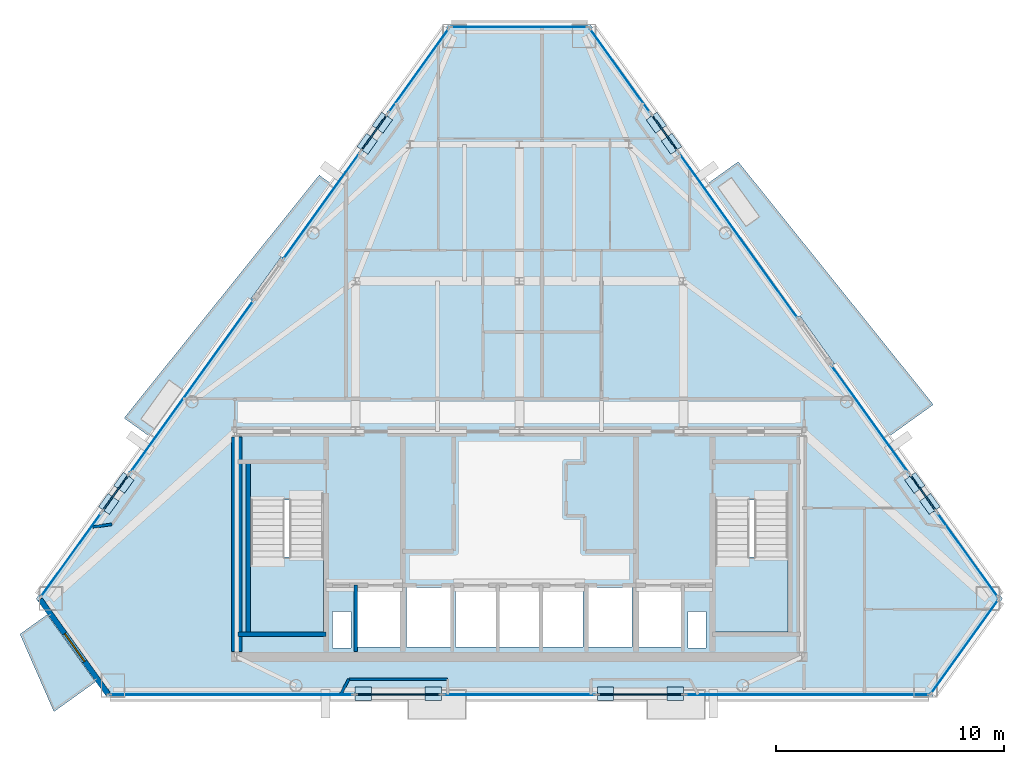
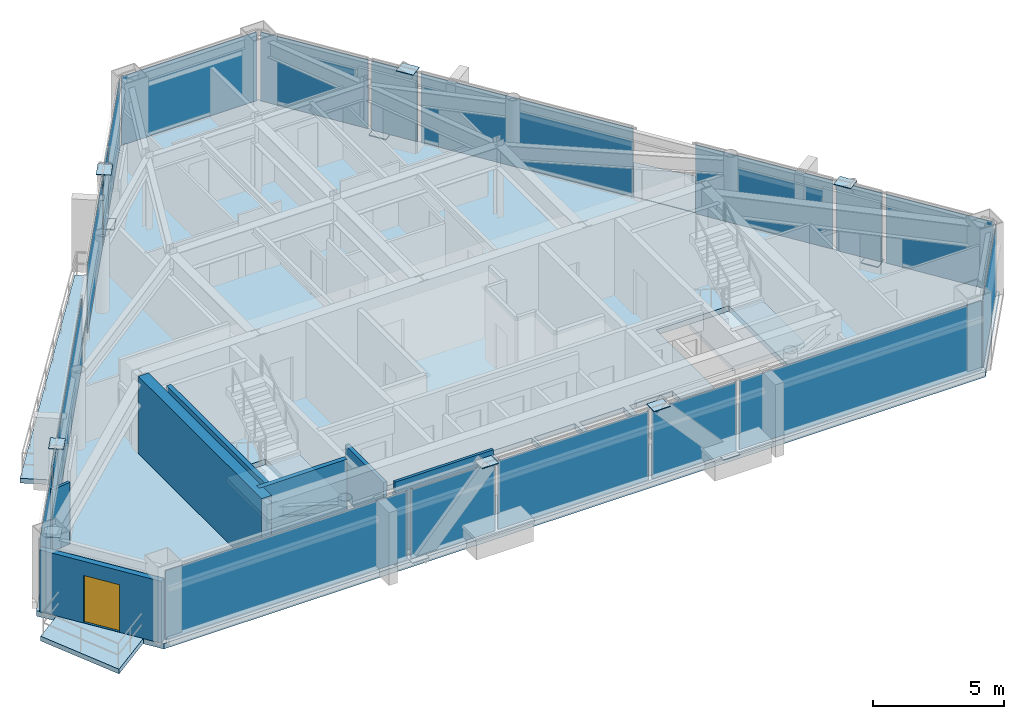
# One storey, part 6 of 11: 31 plates, 8 walls, 6 slabs, 1 door, 1 opening, 21 elements without a shape of their own.
"""IFC4 building model written with IfcOpenShell, lengths in metres."""

from ifc_helpers import new_model, si_unit, direction, frame, frame_2d, origin, origin_2d, place, context, subcontext, project, spatial, polyline, rectangle, outline, extrude, source, transform, mapped, material, layer, layer_set, type_object, type_shapes, element, fill, aggregate, save


model = new_model("IFC4")

# Units and contexts
model_context = context("Model", 3, precision=1e-05, world=origin(), true_north=direction((0.0, 1.0)))
body_context = subcontext(model_context, "Body", "Model", "MODEL_VIEW")
ifc_project = project(units=[si_unit("LENGTHUNIT", "METRE"), si_unit("AREAUNIT", "SQUARE_METRE"), si_unit("VOLUMEUNIT", "CUBIC_METRE"), si_unit("PLANEANGLEUNIT", "RADIAN"), si_unit("MASSUNIT", "GRAM", prefix="KILO")], contexts=[model_context])

# Site, building, storey
site_placement = place(None, origin())
site = spatial("IfcSite", under=ifc_project, at=site_placement, CompositionType="ELEMENT")
building_placement = place(site_placement, origin())
building = spatial("IfcBuilding", under=site, at=building_placement, Name="Talgorran Terracotta Tower", CompositionType="ELEMENT")
storey_placement = place(building_placement, frame((0.0, 0.0, 218.10009765625)))
storey = spatial("IfcBuildingStorey", under=building, at=storey_placement, Name="L57", CompositionType="ELEMENT", Elevation=218.10009765625)

# Plates
ifc_material_1 = material(Name="Steel Grade 350 (350L0)", Category="steel")
ifc_layer_1 = layer(ifc_material_1, 0.031982421875, Name="PL_CAP_MN07")
ifc_layer_set_1 = layer_set([ifc_layer_1], Name="Steel Grade 350 (350L0)")
plate_type_1 = type_object("IfcPlateType", Name="PL_CAP_MN07", PredefinedType="USERDEFINED", material=ifc_layer_set_1)
for number, where, z_axis, x_axis, name in (
    (1, (-6.845703125, -15.712158203125, -0.005859375), (0.0, 0.0, 1.0), (1.0, 0.0, 0.0), "L57 Diagonal Frame End Cap SWF Bot"),
    (2, (-3.783203125, -15.712158203125, 3.31884765625), (0.0, 0.0, 1.0), (1.0, 0.0, 0.0), "L57 Diagonal Frame End Cap SWF Top"),
    (3, (6.845703125, -15.712158203125, -0.005859375), (0.0, 0.0, 1.0), (-1.0, 0.0, 0.0), "L57 Diagonal Frame End Cap SEF Bot"),
    (4, (3.783203125, -15.712158203125, 3.31884765625), (0.0, 0.0, 1.0), (-1.0, 0.0, 0.0), "L57 Diagonal Frame End Cap SEF Top"),
    (5, (18.02490234375, -7.380859375, -0.005859375), (0.0, 0.0, 1.0), (-0.583115925445, 0.812388957023, 0.0), "L57 Diagonal Frame End Cap NEL Bot"),
    (6, (17.359619140625, -6.453857421875, 3.31884765625), (0.0, 0.0, 1.0), (-0.583115925445, 0.812388957023, 0.0), "L57 Diagonal Frame End Cap NEL Top"),
    (7, (6.0126953125, 9.354248046875, -0.005859375), (0.0, 0.0, 1.0), (0.583115925445, -0.812388957023, 0.0), "L57 Diagonal Frame End Cap NEU Bot"),
    (8, (6.67822265625, 8.42724609375, 3.31884765625), (0.0, 0.0, 1.0), (0.583115925445, -0.812388957023, 0.0), "L57 Diagonal Frame End Cap NEU Top"),
    (9, (-6.0126953125, 9.354248046875, -0.005859375), (0.0, 0.0, 1.0), (-0.583115925445, -0.812388957023, 0.0), "L57 Diagonal Frame End Cap NWU Bot"),
    (10, (-6.67822265625, 8.42724609375, 3.31884765625), (0.0, 0.0, 1.0), (-0.583115925445, -0.812388957023, 0.0), "L57 Diagonal Frame End Cap NWU Top"),
    (11, (-18.02490234375, -7.380859375, -0.005859375), (0.0, 0.0, 1.0), (0.583115925445, 0.812388957023, 0.0), "L57 Diagonal Frame End Cap NWL Bot"),
    (12, (-17.359619140625, -6.453857421875, 3.31884765625), (0.0, 0.0, 1.0), (0.583115925445, 0.812388957023, 0.0), "L57 Diagonal Frame End Cap NWL Top"),
):
    element("IfcPlate", number, at=place(storey_placement, frame(where, z_axis=z_axis, x_axis=x_axis)), inside=storey, type_object=plate_type_1, Name=name, ObjectType="CAP PLATE", PredefinedType="USERDEFINED", context=body_context, shape_type="SweptSolid", body=[
        extrude(rectangle(XDim=0.719970703125, YDim=0.580078125, at=origin_2d()), origin(), (0.0, 0.0, 1.0), 0.031982421875),
    ])

# Slabs
ifc_material_2 = material(Name="Concrete C40/50", Category="concrete")
ifc_layer_2 = layer(ifc_material_2, 0.219970703125, Name="SL_BALCONY_220")
ifc_layer_set_2 = layer_set([ifc_layer_2], Name="Concrete C40/50")
slab_type_1 = type_object("IfcSlabType", Name="SL_BALCONY_220", PredefinedType="FLOOR", material=ifc_layer_set_2)
slab_1_placement = place(storey_placement, frame((0.0, 0.0, -0.22021484375)))
element("IfcSlab", 13, at=slab_1_placement, inside=storey, type_object=slab_type_1, Name="L57 Outdoor Wave Balcony BAL-NE", PredefinedType="FLOOR", context=body_context, shape_type="SweptSolid", body=[
    extrude(outline(polyline([(8.189208984375, 6.622314453125), (16.15185546875, -4.47119140625), (18.171630859375, -3.021484375), (9.607421875, 7.64013671875), (8.189208984375, 6.622314453125)])), origin(), (0.0, 0.0, 1.0), 0.22021484375),
])
slab_2_placement = place(storey_placement, frame((0.0, 0.0, -0.22021484375)))
element("IfcSlab", 14, at=slab_2_placement, inside=storey, type_object=slab_type_1, Name="L57 Outdoor Wave Balcony BAL-NW", PredefinedType="FLOOR", context=body_context, shape_type="SweptSolid", body=[
    extrude(outline(polyline([(-16.15185546875, -4.47119140625), (-8.189208984375, 6.622314453125), (-8.785400390625, 7.050048828125), (-17.349609375, -3.611572265625), (-16.15185546875, -4.47119140625)])), origin(), (0.0, 0.0, 1.0), 0.22021484375),
])
slab_3_placement = place(storey_placement, frame((0.0, 0.0, -0.22021484375)))
element("IfcSlab", 15, at=slab_3_placement, inside=storey, type_object=slab_type_1, Name="L57 Outdoor Wave Balcony BAL-SW", PredefinedType="FLOOR", context=body_context, shape_type="SweptSolid", body=[
    extrude(outline(polyline([(-18.60498046875, -15.1904296875), (-20.723388671875, -12.239013671875), (-21.919189453125, -13.097412109375), (-20.427978515625, -16.4990234375), (-18.60498046875, -15.1904296875)])), origin(), (0.0, 0.0, 1.0), 0.22021484375),
])

# Stair, slab
stair_type = type_object("IfcStairType", Name="ST_FIRE_SCISSOR", PredefinedType="HALF_TURN_STAIR", material=ifc_material_2)
stair_1_placement = place(storey_placement, origin())
stair_1 = element("IfcStair", 16, at=stair_1_placement, inside=storey, type_object=stair_type, Name="L57 West Protected Fire Stair ST-01", PredefinedType="HALF_TURN_STAIR")
ifc_layer_3 = layer(ifc_material_2, 0.199951171875, Name="SL_LANDING_200")
ifc_layer_set_3 = layer_set([ifc_layer_3], Name="Concrete C40/50")
slab_type_2 = type_object("IfcSlabType", Name="SL_LANDING_200", PredefinedType="LANDING", material=ifc_layer_set_3)
slab_4_placement = place(storey_placement, frame((0.0, 0.0, 1.599853515625)))
slab_4 = element("IfcSlab", 17, at=slab_4_placement, type_object=slab_type_2, Name="ST-01 landing 1", PredefinedType="LANDING", context=body_context, shape_type="SweptSolid", body=[
    extrude(outline(polyline([(-11.800048828125, -9.719970703125), (-11.800048828125, -13.0), (-8.60009765625, -13.0), (-8.60009765625, -9.719970703125), (-11.800048828125, -9.719970703125)])), origin(), (0.0, 0.0, 1.0), 0.199951171875),
])
aggregate(stair_1, [slab_4])

stair_2_placement = place(storey_placement, origin())
stair_2 = element("IfcStair", 18, at=stair_2_placement, inside=storey, type_object=stair_type, Name="L57 East Protected Fire Stair ST-02", PredefinedType="HALF_TURN_STAIR")
slab_5_placement = place(storey_placement, frame((0.0, 0.0, 1.599853515625)))
slab_5 = element("IfcSlab", 19, at=slab_5_placement, type_object=slab_type_2, Name="ST-02 landing 1", PredefinedType="LANDING", context=body_context, shape_type="SweptSolid", body=[
    extrude(outline(polyline([(8.60009765625, -9.719970703125), (8.60009765625, -13.0), (11.800048828125, -13.0), (11.800048828125, -9.719970703125), (8.60009765625, -9.719970703125)])), origin(), (0.0, 0.0, 1.0), 0.199951171875),
])
aggregate(stair_2, [slab_5])

# Slab
ifc_layer_4 = layer(ifc_material_2, 0.2548828125, Name="SL_TOWER_235")
ifc_layer_set_4 = layer_set([ifc_layer_4], Name="Concrete C40/50")
slab_type_3 = type_object("IfcSlabType", Name="SL_TOWER_235", PredefinedType="FLOOR", material=ifc_layer_set_4)
slab_6_placement = place(storey_placement, frame((0.0, 0.0, -0.255126953125)))
element("IfcSlab", 20, at=slab_6_placement, inside=storey, type_object=slab_type_3, Name="Storey L57 Structural Floor Slab", PredefinedType="FLOOR", context=body_context, shape_type="SweptSolid", body=[
    extrude(outline(polyline([(-21.206787109375, -11.53955078125), (-18.096923828125, -15.872314453125), (18.096923828125, -15.872314453125), (21.206787109375, -11.53955078125), (3.10986328125, 13.673095703125), (-3.10986328125, 13.673095703125), (-21.206787109375, -11.53955078125)]), holes=[polyline([(-11.800048828125, -7.199951171875), (-11.800048828125, -13.0), (-8.60009765625, -13.0), (-8.60009765625, -7.199951171875), (-11.800048828125, -7.199951171875)]), polyline([(8.60009765625, -7.199951171875), (8.60009765625, -13.0), (11.800048828125, -13.0), (11.800048828125, -7.199951171875), (8.60009765625, -7.199951171875)]), polyline([(-7.10009765625, -13.64990234375), (-5.199951171875, -13.64990234375), (-5.199951171875, -11.050048828125), (-7.10009765625, -11.050048828125), (-7.10009765625, -13.64990234375)]), polyline([(5.199951171875, -13.64990234375), (7.10009765625, -13.64990234375), (7.10009765625, -11.050048828125), (5.199951171875, -11.050048828125), (5.199951171875, -13.64990234375)]), polyline([(3.0, -13.64990234375), (4.949951171875, -13.64990234375), (4.949951171875, -11.050048828125), (3.0, -11.050048828125), (3.0, -13.64990234375)]), polyline([(-4.949951171875, -13.64990234375), (-3.0, -13.64990234375), (-3.0, -11.050048828125), (-4.949951171875, -11.050048828125), (-4.949951171875, -13.64990234375)]), polyline([(-2.800048828125, -13.64990234375), (-1.0, -13.64990234375), (-1.0, -11.050048828125), (-2.800048828125, -11.050048828125), (-2.800048828125, -13.64990234375)]), polyline([(-0.89990234375, -13.64990234375), (0.89990234375, -13.64990234375), (0.89990234375, -11.050048828125), (-0.89990234375, -11.050048828125), (-0.89990234375, -13.64990234375)]), polyline([(1.0, -13.64990234375), (2.800048828125, -13.64990234375), (2.800048828125, -11.050048828125), (1.0, -11.050048828125), (1.0, -13.64990234375)]), polyline([(-8.199951171875, -13.699951171875), (-7.39990234375, -13.699951171875), (-7.39990234375, -12.10009765625), (-8.199951171875, -12.10009765625), (-8.199951171875, -13.699951171875)]), polyline([(7.39990234375, -13.699951171875), (8.199951171875, -13.699951171875), (8.199951171875, -12.10009765625), (7.39990234375, -12.10009765625), (7.39990234375, -13.699951171875)])]), origin(), (0.0, 0.0, 1.0), 0.255126953125),
])

# Curtain wall, plate
ifc_material_3 = material(Name="High-Wind Unitised Glazing", Category="glass")
ifc_layer_5 = layer(ifc_material_3, 0.2099609375, Name="CW_SYS3_RES_HIGH")
ifc_layer_set_5 = layer_set([ifc_layer_5], Name="High-Wind Unitised Glazing")
curtain_wall_type = type_object("IfcCurtainWallType", Name="CW_SYS3_RES_HIGH", PredefinedType="NOTDEFINED", material=ifc_layer_set_5)
curtain_wall_1_placement = place(storey_placement, origin())
curtain_wall_1 = element("IfcCurtainWall", 21, at=curtain_wall_1_placement, inside=storey, type_object=curtain_wall_type, Name="CW-L57-F1", PredefinedType="NOTDEFINED")
ifc_material_4 = material(Name="High-Wind Acoustic Vision Glass", Category="glass")
ifc_layer_6 = layer(ifc_material_4, 0.031982421875, Name="PLT_VISION_32")
ifc_layer_set_6 = layer_set([ifc_layer_6], Name="High-Wind Acoustic Vision Glass")
plate_type_2 = type_object("IfcPlateType", Name="PLT_VISION_32", PredefinedType="CURTAIN_PANEL", material=ifc_layer_set_6)
shared_shape_1 = source(origin(), body_context, "Body", "SweptSolid", [
    extrude(rectangle(XDim=10.649658203125, YDim=0.031982421875, at=origin_2d()), origin(), (0.0, 0.0, 1.0), 3.205078125),
])
plate_1_placement = place(storey_placement, frame((-12.640625, -15.752197265625, 0.06982421875), z_axis=(0.0, 0.0, 1.0), x_axis=(1.0, 0.0, 0.0)))
plate_1 = element("IfcPlate", 22, at=plate_1_placement, type_object=plate_type_2, Name="CW-L57-1 panel 1.1", PredefinedType="CURTAIN_PANEL", context=body_context, shape_type="MappedRepresentation", body=[
    mapped(shared_shape_1, transform((0.0, 0.0, 0.0), scale=1.0)),
])
aggregate(curtain_wall_1, [plate_1])

curtain_wall_2_placement = place(storey_placement, origin())
curtain_wall_2 = element("IfcCurtainWall", 23, at=curtain_wall_2_placement, inside=storey, type_object=curtain_wall_type, Name="CW-L57-F1E", PredefinedType="NOTDEFINED")
plate_2_placement = place(storey_placement, frame((12.640625, -15.752197265625, 0.06982421875), z_axis=(0.0, 0.0, 1.0), x_axis=(1.0, 0.0, 0.0)))
plate_2 = element("IfcPlate", 24, at=plate_2_placement, type_object=plate_type_2, Name="CW-L57-1E panel 1.1", PredefinedType="CURTAIN_PANEL", context=body_context, shape_type="MappedRepresentation", body=[
    mapped(shared_shape_1, transform((0.0, 0.0, 0.0), scale=1.0)),
])
aggregate(curtain_wall_2, [plate_2])

curtain_wall_3_placement = place(storey_placement, origin())
curtain_wall_3 = element("IfcCurtainWall", 25, at=curtain_wall_3_placement, inside=storey, type_object=curtain_wall_type, Name="CW-L57-F1B", PredefinedType="NOTDEFINED")
ifc_material_5 = material(Name="Terracotta Insulated Spandrel", Category="masonry")
ifc_layer_7 = layer(ifc_material_5, 0.06494140625, Name="PLT_SPANDREL_TERRA")
ifc_layer_set_7 = layer_set([ifc_layer_7], Name="Terracotta Insulated Spandrel")
plate_type_3 = type_object("IfcPlateType", Name="PLT_SPANDREL_TERRA", PredefinedType="SHEET", material=ifc_layer_set_7)
shared_shape_2 = source(origin(), body_context, "Body", "SweptSolid", [
    extrude(rectangle(XDim=3.70263671875, YDim=0.06494140625, at=origin_2d()), origin(), (0.0, 0.0, 1.0), 3.205078125),
])
plate_3_placement = place(storey_placement, frame((-5.314453125, -15.752197265625, 0.06982421875), z_axis=(0.0, 0.0, 1.0), x_axis=(1.0, 0.0, 0.0)))
plate_3 = element("IfcPlate", 26, at=plate_3_placement, type_object=plate_type_3, Name="CW-L57-1B panel 1.1", PredefinedType="CURTAIN_PANEL", context=body_context, shape_type="MappedRepresentation", body=[
    mapped(shared_shape_2, transform((0.0, 0.0, 0.0), scale=1.0)),
])
aggregate(curtain_wall_3, [plate_3])

curtain_wall_4_placement = place(storey_placement, origin())
curtain_wall_4 = element("IfcCurtainWall", 27, at=curtain_wall_4_placement, inside=storey, type_object=curtain_wall_type, Name="CW-L57-F1D", PredefinedType="NOTDEFINED")
plate_4_placement = place(storey_placement, frame((5.314453125, -15.752197265625, 0.06982421875), z_axis=(0.0, 0.0, 1.0), x_axis=(1.0, 0.0, 0.0)))
plate_4 = element("IfcPlate", 28, at=plate_4_placement, type_object=plate_type_3, Name="CW-L57-1D panel 1.1", PredefinedType="CURTAIN_PANEL", context=body_context, shape_type="MappedRepresentation", body=[
    mapped(shared_shape_2, transform((0.0, 0.0, 0.0), scale=1.0)),
])
aggregate(curtain_wall_4, [plate_4])

curtain_wall_5_placement = place(storey_placement, origin())
curtain_wall_5 = element("IfcCurtainWall", 29, at=curtain_wall_5_placement, inside=storey, type_object=curtain_wall_type, Name="CW-L57-F1C", PredefinedType="NOTDEFINED")
shared_shape_3 = source(origin(), body_context, "Body", "SweptSolid", [
    extrude(rectangle(XDim=6.626220703125, YDim=0.031982421875, at=origin_2d()), origin(), (0.0, 0.0, 1.0), 3.205078125),
])
plate_5_placement = place(storey_placement, frame((0.0, -15.752197265625, 0.06982421875), z_axis=(0.0, 0.0, 1.0), x_axis=(1.0, 0.0, 0.0)))
plate_5 = element("IfcPlate", 30, at=plate_5_placement, type_object=plate_type_2, Name="CW-L57-1C panel 1.1", PredefinedType="CURTAIN_PANEL", context=body_context, shape_type="MappedRepresentation", body=[
    mapped(shared_shape_3, transform((0.0, 0.0, 0.0), scale=1.0)),
])
aggregate(curtain_wall_5, [plate_5])

curtain_wall_6_placement = place(storey_placement, origin())
curtain_wall_6 = element("IfcCurtainWall", 31, at=curtain_wall_6_placement, inside=storey, type_object=curtain_wall_type, Name="CW-L57-F2", PredefinedType="NOTDEFINED")
shared_shape_4 = source(origin(), body_context, "Body", "SweptSolid", [
    extrude(rectangle(XDim=5.04541015625, YDim=0.031982421875, at=origin_2d()), origin(), (0.0, 0.0, 1.0), 3.205078125),
])
plate_6_placement = place(storey_placement, frame((19.54736328125, -13.64599609375, 0.06982421875), z_axis=(0.0, 0.0, 1.0), x_axis=(0.583113785654, 0.812390492916, 0.0)))
plate_6 = element("IfcPlate", 32, at=plate_6_placement, type_object=plate_type_2, Name="CW-L57-2 panel 1.1", PredefinedType="CURTAIN_PANEL", context=body_context, shape_type="MappedRepresentation", body=[
    mapped(shared_shape_4, transform((0.0, 0.0, 0.0), scale=1.0)),
])
aggregate(curtain_wall_6, [plate_6])

curtain_wall_7_placement = place(storey_placement, origin())
curtain_wall_7 = element("IfcCurtainWall", 33, at=curtain_wall_7_placement, inside=storey, type_object=curtain_wall_type, Name="CW-L57-F40", PredefinedType="NOTDEFINED")
shared_shape_5 = source(origin(), body_context, "Body", "SweptSolid", [
    extrude(rectangle(XDim=4.5, YDim=0.031982421875, at=origin_2d()), origin(), (0.0, 0.0, 1.0), 3.205078125),
])
plate_7_placement = place(storey_placement, frame((19.68310546875, -9.622314453125, 0.06982421875), z_axis=(0.0, 0.0, 1.0), x_axis=(-0.58310613487, 0.812395984405, 0.0)))
plate_7 = element("IfcPlate", 34, at=plate_7_placement, type_object=plate_type_2, Name="CW-L57-40 panel 1.1", PredefinedType="CURTAIN_PANEL", context=body_context, shape_type="MappedRepresentation", body=[
    mapped(shared_shape_5, transform((0.0, 0.0, 0.0), scale=1.0)),
])
aggregate(curtain_wall_7, [plate_7])

curtain_wall_8_placement = place(storey_placement, origin())
curtain_wall_8 = element("IfcCurtainWall", 35, at=curtain_wall_8_placement, inside=storey, type_object=curtain_wall_type, Name="CW-L57-F61C", PredefinedType="NOTDEFINED")
plate_8_placement = place(storey_placement, frame((-19.68310546875, -9.622314453125, 0.06982421875), z_axis=(0.0, 0.0, 1.0), x_axis=(-0.58310613487, -0.812395984405, 0.0)))
plate_8 = element("IfcPlate", 36, at=plate_8_placement, type_object=plate_type_2, Name="CW-L57-61C panel 1.1", PredefinedType="CURTAIN_PANEL", context=body_context, shape_type="MappedRepresentation", body=[
    mapped(shared_shape_5, transform((0.0, 0.0, 0.0), scale=1.0)),
])
aggregate(curtain_wall_8, [plate_8])

curtain_wall_9_placement = place(storey_placement, origin())
curtain_wall_9 = element("IfcCurtainWall", 37, at=curtain_wall_9_placement, inside=storey, type_object=curtain_wall_type, Name="CW-L57-F40B", PredefinedType="NOTDEFINED")
shared_shape_6 = source(origin(), body_context, "Body", "SweptSolid", [
    extrude(rectangle(XDim=1.916748046875, YDim=0.06494140625, at=origin_2d()), origin(), (0.0, 0.0, 1.0), 3.205078125),
])
type_shapes(plate_type_3, [shared_shape_2, shared_shape_6])
plate_9_placement = place(storey_placement, frame((17.724609375, -6.89404296875, 0.06982421875), z_axis=(0.0, 0.0, 1.0), x_axis=(-0.583126980678, 0.812381021692, 0.0)))
plate_9 = element("IfcPlate", 38, at=plate_9_placement, type_object=plate_type_3, Name="CW-L57-40B panel 1.1", PredefinedType="CURTAIN_PANEL", context=body_context, shape_type="MappedRepresentation", body=[
    mapped(shared_shape_6, transform((0.0, 0.0, 0.0), scale=1.0)),
])
aggregate(curtain_wall_9, [plate_9])

curtain_wall_10_placement = place(storey_placement, origin())
curtain_wall_10 = element("IfcCurtainWall", 39, at=curtain_wall_10_placement, inside=storey, type_object=curtain_wall_type, Name="CW-L57-F41B", PredefinedType="NOTDEFINED")
plate_10_placement = place(storey_placement, frame((6.3779296875, 8.9140625, 0.06982421875), z_axis=(0.0, 0.0, 1.0), x_axis=(-0.583126980678, 0.812381021692, 0.0)))
plate_10 = element("IfcPlate", 40, at=plate_10_placement, type_object=plate_type_3, Name="CW-L57-41B panel 1.1", PredefinedType="CURTAIN_PANEL", context=body_context, shape_type="MappedRepresentation", body=[
    mapped(shared_shape_6, transform((0.0, 0.0, 0.0), scale=1.0)),
])
aggregate(curtain_wall_10, [plate_10])

curtain_wall_11_placement = place(storey_placement, origin())
curtain_wall_11 = element("IfcCurtainWall", 41, at=curtain_wall_11_placement, inside=storey, type_object=curtain_wall_type, Name="CW-L57-F60B", PredefinedType="NOTDEFINED")
plate_11_placement = place(storey_placement, frame((-6.3779296875, 8.9140625, 0.06982421875), z_axis=(0.0, 0.0, 1.0), x_axis=(-0.583126980678, -0.812381021692, 0.0)))
plate_11 = element("IfcPlate", 42, at=plate_11_placement, type_object=plate_type_3, Name="CW-L57-60B panel 1.1", PredefinedType="CURTAIN_PANEL", context=body_context, shape_type="MappedRepresentation", body=[
    mapped(shared_shape_6, transform((0.0, 0.0, 0.0), scale=1.0)),
])
aggregate(curtain_wall_11, [plate_11])

curtain_wall_12_placement = place(storey_placement, origin())
curtain_wall_12 = element("IfcCurtainWall", 43, at=curtain_wall_12_placement, inside=storey, type_object=curtain_wall_type, Name="CW-L57-F61B", PredefinedType="NOTDEFINED")
plate_12_placement = place(storey_placement, frame((-17.724609375, -6.89404296875, 0.06982421875), z_axis=(0.0, 0.0, 1.0), x_axis=(-0.583126980678, -0.812381021692, 0.0)))
plate_12 = element("IfcPlate", 44, at=plate_12_placement, type_object=plate_type_3, Name="CW-L57-61B panel 1.1", PredefinedType="CURTAIN_PANEL", context=body_context, shape_type="MappedRepresentation", body=[
    mapped(shared_shape_6, transform((0.0, 0.0, 0.0), scale=1.0)),
])
aggregate(curtain_wall_12, [plate_12])

curtain_wall_13_placement = place(storey_placement, origin())
curtain_wall_13 = element("IfcCurtainWall", 45, at=curtain_wall_13_placement, inside=storey, type_object=curtain_wall_type, Name="CW-L57-F40C", PredefinedType="NOTDEFINED")
shared_shape_7 = source(origin(), body_context, "Body", "SweptSolid", [
    extrude(rectangle(XDim=5.756591796875, YDim=0.031982421875, at=origin_2d()), origin(), (0.0, 0.0, 1.0), 3.205078125),
])
plate_13_placement = place(storey_placement, frame((15.39990234375, -3.6552734375, 0.06982421875), z_axis=(0.0, 0.0, 1.0), x_axis=(-0.583118401525, 0.812387179738, 0.0)))
plate_13 = element("IfcPlate", 46, at=plate_13_placement, type_object=plate_type_2, Name="CW-L57-40C panel 1.1", PredefinedType="CURTAIN_PANEL", context=body_context, shape_type="MappedRepresentation", body=[
    mapped(shared_shape_7, transform((0.0, 0.0, 0.0), scale=1.0)),
])
aggregate(curtain_wall_13, [plate_13])

curtain_wall_14_placement = place(storey_placement, origin())
curtain_wall_14 = element("IfcCurtainWall", 47, at=curtain_wall_14_placement, inside=storey, type_object=curtain_wall_type, Name="CW-L57-F41", PredefinedType="NOTDEFINED")
shared_shape_8 = source(origin(), body_context, "Body", "SweptSolid", [
    extrude(rectangle(XDim=8.885498046875, YDim=0.031982421875, at=origin_2d()), origin(), (0.0, 0.0, 1.0), 3.205078125),
])
plate_14_placement = place(storey_placement, frame((9.61474609375, 4.404296875, 0.06982421875), z_axis=(0.0, 0.0, 1.0), x_axis=(-0.583115858237, 0.812389005263, 0.0)))
plate_14 = element("IfcPlate", 48, at=plate_14_placement, type_object=plate_type_2, Name="CW-L57-41 panel 1.1", PredefinedType="CURTAIN_PANEL", context=body_context, shape_type="MappedRepresentation", body=[
    mapped(shared_shape_8, transform((0.0, 0.0, 0.0), scale=1.0)),
])
aggregate(curtain_wall_14, [plate_14])

curtain_wall_15_placement = place(storey_placement, origin())
curtain_wall_15 = element("IfcCurtainWall", 49, at=curtain_wall_15_placement, inside=storey, type_object=curtain_wall_type, Name="CW-L57-F41C", PredefinedType="NOTDEFINED")
shared_shape_9 = source(origin(), body_context, "Body", "SweptSolid", [
    extrude(rectangle(XDim=4.491943359375, YDim=0.031982421875, at=origin_2d()), origin(), (0.0, 0.0, 1.0), 3.205078125),
])
plate_15_placement = place(storey_placement, frame((4.422119140625, 11.63916015625, 0.06982421875), z_axis=(0.0, 0.0, 1.0), x_axis=(-0.58311143862, 0.812392177554, 0.0)))
plate_15 = element("IfcPlate", 50, at=plate_15_placement, type_object=plate_type_2, Name="CW-L57-41C panel 1.1", PredefinedType="CURTAIN_PANEL", context=body_context, shape_type="MappedRepresentation", body=[
    mapped(shared_shape_9, transform((0.0, 0.0, 0.0), scale=1.0)),
])
aggregate(curtain_wall_15, [plate_15])

curtain_wall_16_placement = place(storey_placement, origin())
curtain_wall_16 = element("IfcCurtainWall", 51, at=curtain_wall_16_placement, inside=storey, type_object=curtain_wall_type, Name="CW-L57-F60", PredefinedType="NOTDEFINED")
plate_16_placement = place(storey_placement, frame((-4.422119140625, 11.63916015625, 0.06982421875), z_axis=(0.0, 0.0, 1.0), x_axis=(-0.58311143862, -0.812392177554, 0.0)))
plate_16 = element("IfcPlate", 52, at=plate_16_placement, type_object=plate_type_2, Name="CW-L57-60 panel 1.1", PredefinedType="CURTAIN_PANEL", context=body_context, shape_type="MappedRepresentation", body=[
    mapped(shared_shape_9, transform((0.0, 0.0, 0.0), scale=1.0)),
])
aggregate(curtain_wall_16, [plate_16])

curtain_wall_17_placement = place(storey_placement, origin())
curtain_wall_17 = element("IfcCurtainWall", 53, at=curtain_wall_17_placement, inside=storey, type_object=curtain_wall_type, Name="CW-L57-F4", PredefinedType="NOTDEFINED")
shared_shape_10 = source(origin(), body_context, "Body", "SweptSolid", [
    extrude(rectangle(XDim=5.95654296875, YDim=0.031982421875, at=origin_2d()), origin(), (0.0, 0.0, 1.0), 3.205078125),
])
plate_17_placement = place(storey_placement, frame((0.0, 13.552978515625, 0.06982421875), z_axis=(0.0, 0.0, 1.0), x_axis=(-1.0, 0.0, 0.0)))
plate_17 = element("IfcPlate", 54, at=plate_17_placement, type_object=plate_type_2, Name="CW-L57-4 panel 1.1", PredefinedType="CURTAIN_PANEL", context=body_context, shape_type="MappedRepresentation", body=[
    mapped(shared_shape_10, transform((0.0, 0.0, 0.0), scale=1.0)),
])
aggregate(curtain_wall_17, [plate_17])

curtain_wall_18_placement = place(storey_placement, origin())
curtain_wall_18 = element("IfcCurtainWall", 55, at=curtain_wall_18_placement, inside=storey, type_object=curtain_wall_type, Name="CW-L57-F60C", PredefinedType="NOTDEFINED")
shared_shape_11 = source(origin(), body_context, "Body", "SweptSolid", [
    extrude(rectangle(XDim=5.69140625, YDim=0.031982421875, at=origin_2d()), origin(), (0.0, 0.0, 1.0), 3.205078125),
])
plate_18_placement = place(storey_placement, frame((-8.68359375, 5.701904296875, 0.06982421875), z_axis=(0.0, 0.0, 1.0), x_axis=(-0.583115092947, -0.812389554572, 0.0)))
plate_18 = element("IfcPlate", 56, at=plate_18_placement, type_object=plate_type_2, Name="CW-L57-60C panel 1.1", PredefinedType="CURTAIN_PANEL", context=body_context, shape_type="MappedRepresentation", body=[
    mapped(shared_shape_11, transform((0.0, 0.0, 0.0), scale=1.0)),
])
aggregate(curtain_wall_18, [plate_18])

curtain_wall_19_placement = place(storey_placement, origin())
curtain_wall_19 = element("IfcCurtainWall", 57, at=curtain_wall_19_placement, inside=storey, type_object=curtain_wall_type, Name="CW-L57-F61", PredefinedType="NOTDEFINED")
shared_shape_12 = source(origin(), body_context, "Body", "SweptSolid", [
    extrude(rectangle(XDim=9.250732421875, YDim=0.031982421875, at=origin_2d()), origin(), (0.0, 0.0, 1.0), 3.205078125),
])
type_shapes(plate_type_2, [shared_shape_1, shared_shape_3, shared_shape_4, shared_shape_5, shared_shape_7, shared_shape_8, shared_shape_9, shared_shape_10, shared_shape_11, shared_shape_12])
plate_19_placement = place(storey_placement, frame((-14.38134765625, -2.236083984375, 0.06982421875), z_axis=(0.0, 0.0, 1.0), x_axis=(-0.583118313645, -0.812387242817, 0.0)))
plate_19 = element("IfcPlate", 58, at=plate_19_placement, type_object=plate_type_2, Name="CW-L57-61 panel 1.1", PredefinedType="CURTAIN_PANEL", context=body_context, shape_type="MappedRepresentation", body=[
    mapped(shared_shape_12, transform((0.0, 0.0, 0.0), scale=1.0)),
])
aggregate(curtain_wall_19, [plate_19])

# Wall, opening, door
ifc_layer_8 = layer(ifc_material_2, 0.239990234375, Name="WT_BALCONY_SPAND")
ifc_layer_set_8 = layer_set([ifc_layer_8], Name="Concrete C40/50")
wall_type_1 = type_object("IfcWallType", Name="WT_BALCONY_SPAND", PredefinedType="STANDARD", material=ifc_layer_set_8)
wall_1_placement = place(storey_placement, frame((-21.035888671875, -11.572021484375, -0.01513671875), z_axis=(0.0, 0.0, 1.0), x_axis=(0.583136392473, -0.812374265824, 0.0)))
wall_1 = element("IfcWall", 59, at=wall_1_placement, inside=storey, type_object=wall_type_1, Name="WL-L57-BALP-BAL-SW", PredefinedType="STANDARD", context=body_context, shape_type="SweptSolid", body=[
    extrude(rectangle(XDim=5.105712890625, YDim=0.239990234375, at=frame_2d((2.552734375, 0.0))), origin(), (0.0, 0.0, 1.0), 2.8779296875),
])
opening_placement = place(wall_1_placement, frame((1.846435546875, 0.0, 0.014892578125)))
opening = element("IfcOpeningElement", 60, at=opening_placement, cuts=wall_1, Name="Opening D-BAL-L57-3", PredefinedType="OPENING", context=body_context, shape_type="SweptSolid", body=[
    extrude(rectangle(XDim=1.506, YDim=2.203951171875, at=frame_2d((0.75, 1.10205078125))), frame((0.0, 0.1298828125, 0.0), z_axis=(0.0, -1.0, 0.0), x_axis=(1.0, 0.0, 0.0)), (0.0, 0.0, 1.0), 0.260009765625),
])
ifc_material_6 = material(Name="Thermally Broken Aluminium", Category="aluminium")
door_type = type_object("IfcDoorType", Name="DT_BALC_1500", OperationType="SLIDING_TO_RIGHT", PredefinedType="DOOR", material=ifc_material_6)
door_placement = place(opening_placement, origin())
door = element("IfcDoor", 61, at=door_placement, inside=storey, type_object=door_type, Name="DR-L57-BAL-BAL-SW", OperationType="SLIDING_TO_RIGHT", OverallHeight=2.199951171875, OverallWidth=1.5, PredefinedType="DOOR", context=body_context, shape_type="SweptSolid", body=[
    extrude(rectangle(XDim=1.5, YDim=2.199951171875, at=frame_2d((0.75, 1.10009765625))), frame((0.0, 0.02490234375, 0.0), z_axis=(0.0, -1.0, 0.0), x_axis=(1.0, 0.0, 0.0)), (0.0, 0.0, 1.0), 0.050048828125),
])
fill(opening, door)

# Walls
ifc_material_7 = material(Name="Concrete C50/60", Category="concrete")
ifc_layer_9 = layer(ifc_material_7, 0.199951171875, Name="WT_CORE_200")
ifc_layer_set_9 = layer_set([ifc_layer_9], Name="Concrete C50/60")
wall_type_2 = type_object("IfcWallType", Name="WT_CORE_200", PredefinedType="SOLIDWALL", material=ifc_layer_set_9)
wall_2_placement = place(storey_placement, frame((-12.35009765625, -13.10009765625, 0.0), z_axis=(0.0, 0.0, 1.0), x_axis=(1.0, 0.0, 0.0)))
element("IfcWall", 62, at=wall_2_placement, inside=storey, type_object=wall_type_2, Name="WL-L57-CW-ST1-S", PredefinedType="SOLIDWALL", context=body_context, shape_type="SweptSolid", body=[
    extrude(rectangle(XDim=3.8701171875, YDim=0.199951171875, at=frame_2d((1.93505859375, 0.0))), origin(), (0.0, 0.0, 1.0), 3.599853515625),
])
wall_3_placement = place(storey_placement, frame((-11.89990234375, -13.10009765625, 0.0), z_axis=(0.0, 0.0, 1.0), x_axis=(0.0, 1.0, 0.0)))
element("IfcWall", 63, at=wall_3_placement, inside=storey, type_object=wall_type_2, Name="WL-L57-CW-ST1-W", PredefinedType="SOLIDWALL", context=body_context, shape_type="SweptSolid", body=[
    extrude(rectangle(XDim=7.580078125, YDim=0.199951171875, at=frame_2d((3.7900390625, 0.0))), origin(), (0.0, 0.0, 1.0), 3.599853515625),
])
ifc_material_8 = material(Name="Concrete C65/80", Category="concrete")
ifc_layer_10 = layer(ifc_material_8, 0.449951171875, Name="WT_CORE_EXT")
ifc_layer_set_10 = layer_set([ifc_layer_10], Name="Concrete C65/80")
wall_type_3 = type_object("IfcWallType", Name="WT_CORE_EXT", PredefinedType="SHEAR", material=ifc_layer_set_10)
wall_4_placement = place(storey_placement, frame((-12.39990234375, -13.85009765625, 0.0), z_axis=(0.0, 0.0, 1.0), x_axis=(0.0, 1.0, 0.0)))
element("IfcWall", 64, at=wall_4_placement, inside=storey, type_object=wall_type_3, Name="WL-L57-CW-OUT-W", PredefinedType="SHEAR", context=body_context, shape_type="SweptSolid", body=[
    extrude(rectangle(XDim=9.400146484375, YDim=0.449951171875, at=frame_2d((4.7001953125, 0.0))), origin(), (0.0, 0.0, 1.0), 3.599853515625),
])
ifc_material_9 = material(Name="Insulated Steel Stud Plasterboard", Category="steel")
ifc_layer_11 = layer(ifc_material_9, 0.1201171875, Name="WT_PART_120")
ifc_layer_set_11 = layer_set([ifc_layer_11], Name="Insulated Steel Stud Plasterboard")
wall_type_4 = type_object("IfcWallType", Name="WT_PART_120", PredefinedType="PARTITIONING", material=ifc_layer_set_11)
wall_5_placement = place(storey_placement, frame((-7.485595703125, -15.072265625, 0.0), z_axis=(0.0, 0.0, 1.0), x_axis=(1.0, 0.0, 0.0)))
element("IfcWall", 65, at=wall_5_placement, inside=storey, type_object=wall_type_4, Name="WL-L57-BW-L57-01", PredefinedType="PARTITIONING", context=body_context, shape_type="SweptSolid", body=[
    extrude(rectangle(XDim=4.342529296875, YDim=0.1201171875, at=frame_2d((2.17138671875, 0.0))), origin(), (0.0, 0.0, 1.0), 3.344970703125),
])
wall_6_placement = place(storey_placement, frame((-17.878173828125, -8.27392578125, 0.0), z_axis=(0.0, 0.0, 1.0), x_axis=(-0.990018406644, -0.140938122968, 0.0)))
element("IfcWall", 66, at=wall_6_placement, inside=storey, type_object=wall_type_4, Name="WL-L57-BW-L57-09", PredefinedType="PARTITIONING", context=body_context, shape_type="SweptSolid", body=[
    extrude(rectangle(XDim=0.848876953125, YDim=0.1201171875, at=frame_2d((0.42431640625, 0.0))), origin(), (0.0, 0.0, 1.0), 2.86279296875),
])
wall_7_placement = place(storey_placement, frame((-7.84521484375, -15.7421875, 0.0), z_axis=(0.0, 0.0, 1.0), x_axis=(0.472969716316, 0.881078684027, 0.0)))
element("IfcWall", 67, at=wall_7_placement, inside=storey, type_object=wall_type_4, Name="WL-L57-BW-L57-03", PredefinedType="PARTITIONING", context=body_context, shape_type="SweptSolid", body=[
    extrude(rectangle(XDim=0.76025390625, YDim=0.1201171875, at=frame_2d((0.380126953125, 0.0))), origin(), (0.0, 0.0, 1.0), 2.86279296875),
])
ifc_material_10 = material(Name="Fire-Rated Shaftwall")
ifc_layer_12 = layer(ifc_material_10, 0.159912109375, Name="WT_PART_150")
ifc_layer_set_12 = layer_set([ifc_layer_12], Name="Fire-Rated Shaftwall")
wall_type_5 = type_object("IfcWallType", Name="WT_PART_150", PredefinedType="PARTITIONING", material=ifc_layer_set_12)
wall_8_placement = place(storey_placement, frame((-7.179931640625, -13.85009765625, 0.0), z_axis=(0.0, 0.0, 1.0), x_axis=(0.0, 1.0, 0.0)))
element("IfcWall", 68, at=wall_8_placement, inside=storey, type_object=wall_type_5, Name="WL-L57-CW-RSW", PredefinedType="PARTITIONING", context=body_context, shape_type="SweptSolid", body=[
    extrude(rectangle(XDim=2.900146484375, YDim=0.159912109375, at=frame_2d((1.4501953125, 0.0))), origin(), (0.0, 0.0, 1.0), 2.469970703125),
])

save(model, "model.ifc")
